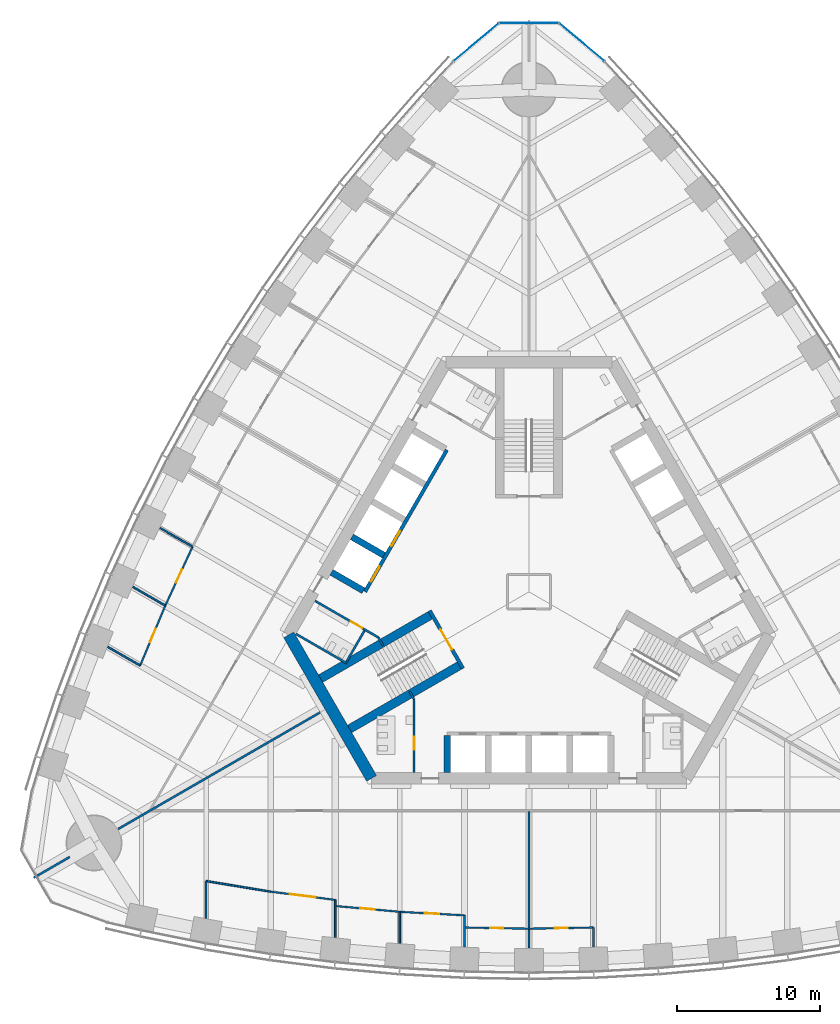
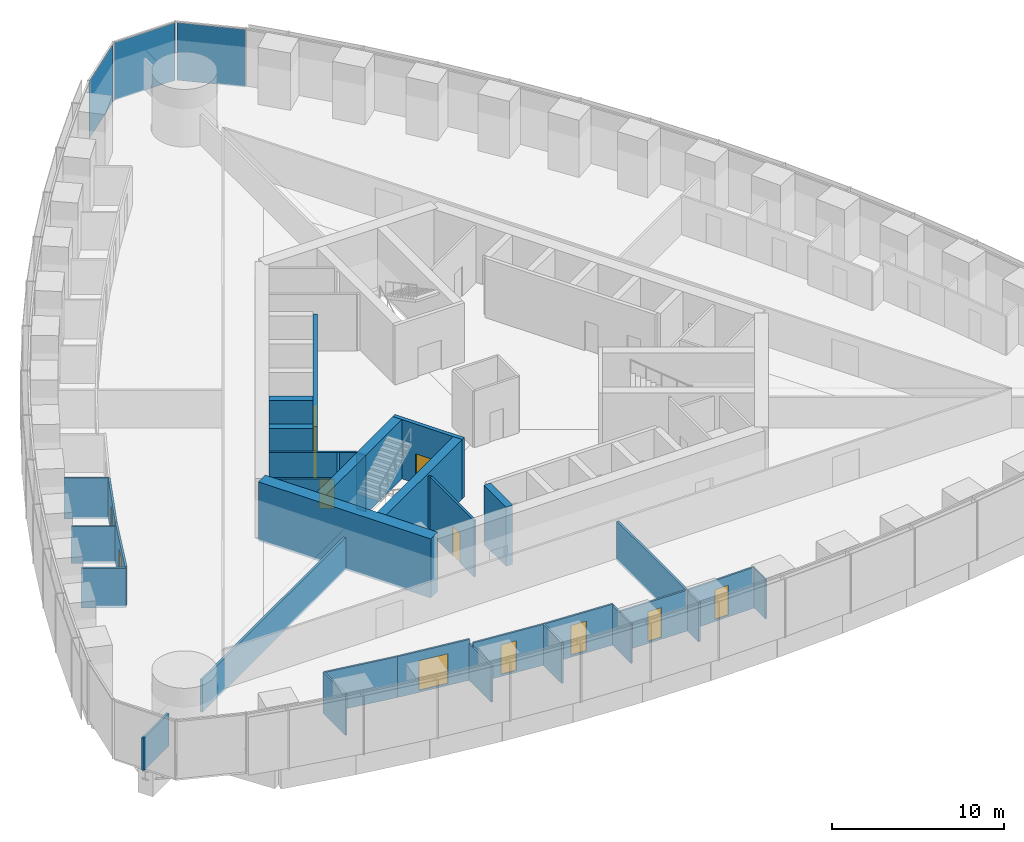
# One storey, part 10 of 18: 33 walls, 12 doors, 3 plates, 12 openings, 1 element without a shape of its own.
"""IFC4 building model written with IfcOpenShell, lengths in metres."""

from ifc_helpers import new_model, si_unit, direction, frame, frame_2d, origin, origin_2d, place, context, subcontext, project, spatial, rectangle, extrude, material, layer, layer_set, type_object, element, fill, aggregate, save


model = new_model("IFC4")

# Units and contexts
model_context = context("Model", 3, precision=1e-05, world=origin(), true_north=direction((0.0, 1.0)))
body_context = subcontext(model_context, "Body", "Model", "MODEL_VIEW")
ifc_project = project(units=[si_unit("LENGTHUNIT", "METRE"), si_unit("AREAUNIT", "SQUARE_METRE"), si_unit("VOLUMEUNIT", "CUBIC_METRE"), si_unit("PLANEANGLEUNIT", "RADIAN"), si_unit("MASSUNIT", "GRAM", prefix="KILO")], contexts=[model_context])

# Site, building, storey
site_placement = place(None, origin())
site = spatial("IfcSite", under=ifc_project, at=site_placement, CompositionType="ELEMENT")
building_placement = place(site_placement, origin())
building = spatial("IfcBuilding", under=site, at=building_placement, Name="Trefoil Bronze Tower", CompositionType="ELEMENT")
storey_placement = place(building_placement, frame((0.0, 0.0, 161.89990234375)))
storey = spatial("IfcBuildingStorey", under=building, at=storey_placement, Name="L37", CompositionType="ELEMENT", Elevation=161.89990234375)

# Curtain wall, plates
ifc_material_1 = material(Name="Tinted solar-control glass", Category="glass")
curtain_wall_type = type_object("IfcCurtainWallType", Name="Bronze rounded corner curtain wall", PredefinedType="USERDEFINED", material=ifc_material_1)
curtain_wall_placement = place(storey_placement, origin())
curtain_wall = element("IfcCurtainWall", 1, at=curtain_wall_placement, inside=storey, type_object=curtain_wall_type, Name="CW-B L37 K2", ObjectType="CURTAIN WALL", PredefinedType="USERDEFINED")
ifc_material_2 = material(Name="Tinted solar-control glass", Category="glass")
ifc_layer_1 = layer(ifc_material_2, 0.030029296875)
ifc_layer_set_1 = layer_set([ifc_layer_1], Name="Bronze rounded corner curtain wall glass panel")
plate_type = type_object("IfcPlateType", Name="Bronze rounded corner curtain wall glass panel", PredefinedType="CURTAIN_PANEL", material=ifc_layer_set_1)
plate_1_placement = place(storey_placement, frame((3.6884765625, 38.294921875, 0.0), z_axis=(0.0, 0.0, 1.0), x_axis=(-0.766044443119, 0.642787609687, 0.0)))
plate_1 = element("IfcPlate", 2, at=plate_1_placement, type_object=plate_type, Name="CW-B L37 K2 panel 1", PredefinedType="CURTAIN_PANEL", context=body_context, shape_type="SweptSolid", body=[
    extrude(rectangle(XDim=4.044189453125, YDim=0.030029296875, at=origin_2d()), origin(), (0.0, 0.0, 1.0), 4.080078125),
])
plate_2_placement = place(storey_placement, frame((0.0, 39.637451171875, 0.0), z_axis=(0.0, 0.0, 1.0), x_axis=(-1.0, 0.0, 0.0)))
plate_2 = element("IfcPlate", 3, at=plate_2_placement, type_object=plate_type, Name="CW-B L37 K2 panel 2", PredefinedType="CURTAIN_PANEL", context=body_context, shape_type="SweptSolid", body=[
    extrude(rectangle(XDim=4.044189453125, YDim=0.030029296875, at=origin_2d()), origin(), (0.0, 0.0, 1.0), 4.080078125),
])
plate_3_placement = place(storey_placement, frame((-3.6884765625, 38.294921875, 0.0), z_axis=(0.0, 0.0, 1.0), x_axis=(-0.766044443119, -0.642787609687, 0.0)))
plate_3 = element("IfcPlate", 4, at=plate_3_placement, type_object=plate_type, Name="CW-B L37 K2 panel 3", PredefinedType="CURTAIN_PANEL", context=body_context, shape_type="SweptSolid", body=[
    extrude(rectangle(XDim=4.044189453125, YDim=0.030029296875, at=origin_2d()), origin(), (0.0, 0.0, 1.0), 4.080078125),
])
aggregate(curtain_wall, [plate_1, plate_2, plate_3])

# Wall
ifc_material_3 = material(Name="Concrete B80", Category="concrete")
ifc_layer_2 = layer(ifc_material_3, 0.800048828125)
ifc_layer_set_2 = layer_set([ifc_layer_2], Name="Core wall 800")
wall_type_1 = type_object("IfcWallType", Name="Core wall 800", PredefinedType="SHEAR", material=ifc_layer_set_2)
wall_1_placement = place(storey_placement, frame((-16.7431640625, -3.0, 0.0), z_axis=(0.0, 0.0, 1.0), x_axis=(0.499995765644, -0.866027848477, 0.0)))
element("IfcWall", 5, at=wall_1_placement, inside=storey, type_object=wall_type_1, Name="Core short wall 3 L37", PredefinedType="SHEAR", context=body_context, shape_type="SweptSolid", body=[
    extrude(rectangle(XDim=11.546875, YDim=0.800048828125, at=frame_2d((5.7734375, 0.0))), origin(), (0.0, 0.0, 1.0), 4.2001953125),
])

# Wall, opening, door
ifc_material_4 = material(Name="Glazed partition", Category="glass")
ifc_layer_3 = layer(ifc_material_4, 0.1201171875)
ifc_layer_set_3 = layer_set([ifc_layer_3], Name="Glazed partition 120")
wall_type_2 = type_object("IfcWallType", Name="Glazed partition 120", PredefinedType="PARTITIONING", material=ifc_layer_set_3)
wall_2_placement = place(storey_placement, frame((0.0, -23.474609375, 0.0), z_axis=(0.0, 0.0, 1.0), x_axis=(0.999837820638, 0.018009231578, 0.0)))
wall_2 = element("IfcWall", 6, at=wall_2_placement, inside=storey, type_object=wall_type_2, Name="Partition F1 L37", PredefinedType="PARTITIONING", context=body_context, shape_type="SweptSolid", body=[
    extrude(rectangle(XDim=4.500732421875, YDim=0.1201171875, at=frame_2d((2.25048828125, 0.0))), origin(), (0.0, 0.0, 1.0), 2.900146484375),
])
opening_1_placement = place(wall_2_placement, frame((1.800048828125, 0.0, 0.14990234375)))
opening_1 = element("IfcOpeningElement", 7, at=opening_1_placement, cuts=wall_2, Name="Opening D8", PredefinedType="OPENING", context=body_context, shape_type="SweptSolid", body=[
    extrude(rectangle(XDim=0.89990234375, YDim=2.10009765625, at=frame_2d((0.449951171875, 1.050048828125))), frame((0.0, 0.070068359375, 0.0), z_axis=(0.0, -1.0, 0.0), x_axis=(1.0, 0.0, 0.0)), (0.0, 0.0, 1.0), 0.14013671875),
])
ifc_material_5 = material(Name="Timber door", Category="wood")
door_type_1 = type_object("IfcDoorType", Name="Office door 900", OperationType="SINGLE_SWING_LEFT", PredefinedType="DOOR", material=ifc_material_5)
door_1_placement = place(opening_1_placement, frame((0.89990234375, 0.0, 0.0), z_axis=(0.0, 0.0, 1.0), x_axis=(-1.0, 0.0, 0.0)))
door_1 = element("IfcDoor", 8, at=door_1_placement, inside=storey, type_object=door_type_1, Name="Focus room door F1 L37", OperationType="SINGLE_SWING_RIGHT", OverallHeight=2.10009765625, OverallWidth=0.89990234375, PredefinedType="DOOR", context=body_context, shape_type="SweptSolid", body=[
    extrude(rectangle(XDim=0.89990234375, YDim=2.10009765625, at=frame_2d((0.449951171875, 1.050048828125))), frame((0.0, 0.02490234375, 0.0), z_axis=(0.0, -1.0, 0.0), x_axis=(1.0, 0.0, 0.0)), (0.0, 0.0, 1.0), 0.050048828125),
])
fill(opening_1, door_1)

wall_3_placement = place(storey_placement, frame((-13.5, -21.892822265625, 0.0), z_axis=(0.0, 0.0, 1.0), x_axis=(0.995935173755, -0.090072913121, 0.0)))
wall_3 = element("IfcWall", 9, at=wall_3_placement, inside=storey, type_object=wall_type_2, Name="Partition F1 L37", PredefinedType="PARTITIONING", context=body_context, shape_type="SweptSolid", body=[
    extrude(rectangle(XDim=4.518310546875, YDim=0.1201171875, at=frame_2d((2.25927734375, 0.0))), origin(), (0.0, 0.0, 1.0), 2.900146484375),
])
opening_2_placement = place(wall_3_placement, frame((1.75, 0.0, 0.14990234375)))
opening_2 = element("IfcOpeningElement", 10, at=opening_2_placement, cuts=wall_3, Name="Opening D9", PredefinedType="OPENING", context=body_context, shape_type="SweptSolid", body=[
    extrude(rectangle(XDim=1.0, YDim=2.10009765625, at=frame_2d((0.5, 1.050048828125))), frame((0.0, 0.070068359375, 0.0), z_axis=(0.0, -1.0, 0.0), x_axis=(1.0, 0.0, 0.0)), (0.0, 0.0, 1.0), 0.14013671875),
])
ifc_material_6 = material(Name="Glazed timber door", Category="wood")
door_type_2 = type_object("IfcDoorType", Name="Meeting room door 1000", OperationType="SINGLE_SWING_LEFT", PredefinedType="DOOR", material=ifc_material_6)
door_2_placement = place(opening_2_placement, frame((1.0, 0.0, 0.0), z_axis=(0.0, 0.0, 1.0), x_axis=(-1.0, 0.0, 0.0)))
door_2 = element("IfcDoor", 11, at=door_2_placement, inside=storey, type_object=door_type_2, Name="Team room door F1 L37", OperationType="SINGLE_SWING_RIGHT", OverallHeight=2.10009765625, OverallWidth=1.0, PredefinedType="DOOR", context=body_context, shape_type="SweptSolid", body=[
    extrude(rectangle(XDim=1.0, YDim=2.10009765625, at=frame_2d((0.5, 1.050048828125))), frame((0.0, 0.02490234375, 0.0), z_axis=(0.0, -1.0, 0.0), x_axis=(1.0, 0.0, 0.0)), (0.0, 0.0, 1.0), 0.050048828125),
])
fill(opening_2, door_2)

wall_4_placement = place(storey_placement, frame((-18.0, -20.8955078125, 0.0), z_axis=(0.0, 0.0, 1.0), x_axis=(0.992010652594, -0.12615413247, 0.0)))
wall_4 = element("IfcWall", 12, at=wall_4_placement, inside=storey, type_object=wall_type_2, Name="Partition F1 L37", PredefinedType="PARTITIONING", context=body_context, shape_type="SweptSolid", body=[
    extrude(rectangle(XDim=4.5361328125, YDim=0.1201171875, at=frame_2d((2.26806640625, 0.0))), origin(), (0.0, 0.0, 1.0), 2.900146484375),
])
opening_3_placement = place(wall_4_placement, frame((1.35009765625, 0.0, 0.14990234375)))
opening_3 = element("IfcOpeningElement", 13, at=opening_3_placement, cuts=wall_4, Name="Opening D10", PredefinedType="OPENING", context=body_context, shape_type="SweptSolid", body=[
    extrude(rectangle(XDim=1.800048828125, YDim=2.10009765625, at=frame_2d((0.89990234375, 1.050048828125))), frame((0.0, 0.070068359375, 0.0), z_axis=(0.0, -1.0, 0.0), x_axis=(1.0, 0.0, 0.0)), (0.0, 0.0, 1.0), 0.14013671875),
])
ifc_material_7 = material(Name="Timber door", Category="wood")
door_type_3 = type_object("IfcDoorType", Name="Double door 1800", OperationType="DOUBLE_DOOR_SINGLE_SWING", PredefinedType="DOOR", material=ifc_material_7)
door_3_placement = place(opening_3_placement, frame((1.800048828125, 0.0, 0.0), z_axis=(0.0, 0.0, 1.0), x_axis=(-1.0, 0.0, 0.0)))
door_3 = element("IfcDoor", 14, at=door_3_placement, inside=storey, type_object=door_type_3, Name="Kitchen and breakout door F1 L37", OperationType="DOUBLE_DOOR_SINGLE_SWING", OverallHeight=2.10009765625, OverallWidth=1.800048828125, PredefinedType="DOOR", context=body_context, shape_type="SweptSolid", body=[
    extrude(rectangle(XDim=1.800048828125, YDim=2.10009765625, at=frame_2d((0.89990234375, 1.050048828125))), frame((0.0, 0.02490234375, 0.0), z_axis=(0.0, -1.0, 0.0), x_axis=(1.0, 0.0, 0.0)), (0.0, 0.0, 1.0), 0.050048828125),
])
fill(opening_3, door_3)

# Wall
wall_5_placement = place(storey_placement, frame((-22.5, -20.156005859375, 0.0), z_axis=(0.0, 0.0, 1.0), x_axis=(0.986764681833, -0.162158757664, 0.0)))
element("IfcWall", 15, at=wall_5_placement, inside=storey, type_object=wall_type_2, Name="Partition F1 L37", PredefinedType="PARTITIONING", context=body_context, shape_type="SweptSolid", body=[
    extrude(rectangle(XDim=4.560302734375, YDim=0.1201171875, at=frame_2d((2.2802734375, 0.0))), origin(), (0.0, 0.0, 1.0), 2.900146484375),
])

# Wall, opening, door
wall_6_placement = place(storey_placement, frame((-4.5, -23.3935546875, 0.0), z_axis=(0.0, 0.0, 1.0), x_axis=(0.999837820638, -0.018009231578, 0.0)))
wall_6 = element("IfcWall", 16, at=wall_6_placement, inside=storey, type_object=wall_type_2, Name="Partition F1 L37", PredefinedType="PARTITIONING", context=body_context, shape_type="SweptSolid", body=[
    extrude(rectangle(XDim=4.500732421875, YDim=0.1201171875, at=frame_2d((2.25048828125, 0.0))), origin(), (0.0, 0.0, 1.0), 2.900146484375),
])
opening_4_placement = place(wall_6_placement, frame((1.800048828125, 0.0, 0.14990234375)))
opening_4 = element("IfcOpeningElement", 17, at=opening_4_placement, cuts=wall_6, Name="Opening D8", PredefinedType="OPENING", context=body_context, shape_type="SweptSolid", body=[
    extrude(rectangle(XDim=0.89990234375, YDim=2.10009765625, at=frame_2d((0.449951171875, 1.050048828125))), frame((0.0, 0.070068359375, 0.0), z_axis=(0.0, -1.0, 0.0), x_axis=(1.0, 0.0, 0.0)), (0.0, 0.0, 1.0), 0.14013671875),
])
door_4_placement = place(opening_4_placement, frame((0.89990234375, 0.0, 0.0), z_axis=(0.0, 0.0, 1.0), x_axis=(-1.0, 0.0, 0.0)))
door_4 = element("IfcDoor", 18, at=door_4_placement, inside=storey, type_object=door_type_1, Name="Focus room door F1 L37", OperationType="SINGLE_SWING_RIGHT", OverallHeight=2.10009765625, OverallWidth=0.89990234375, PredefinedType="DOOR", context=body_context, shape_type="SweptSolid", body=[
    extrude(rectangle(XDim=0.89990234375, YDim=2.10009765625, at=frame_2d((0.449951171875, 1.050048828125))), frame((0.0, 0.02490234375, 0.0), z_axis=(0.0, -1.0, 0.0), x_axis=(1.0, 0.0, 0.0)), (0.0, 0.0, 1.0), 0.050048828125),
])
fill(opening_4, door_4)

wall_7_placement = place(storey_placement, frame((-9.0, -22.2998046875, 0.0), z_axis=(0.0, 0.0, 1.0), x_axis=(0.998537376538, -0.054065771581, 0.0)))
wall_7 = element("IfcWall", 19, at=wall_7_placement, inside=storey, type_object=wall_type_2, Name="Partition F1 L37", PredefinedType="PARTITIONING", context=body_context, shape_type="SweptSolid", body=[
    extrude(rectangle(XDim=4.506591796875, YDim=0.1201171875, at=frame_2d((2.25341796875, 0.0))), origin(), (0.0, 0.0, 1.0), 2.900146484375),
])
opening_5_placement = place(wall_7_placement, frame((1.75, 0.0, 0.14990234375)))
opening_5 = element("IfcOpeningElement", 20, at=opening_5_placement, cuts=wall_7, Name="Opening D9", PredefinedType="OPENING", context=body_context, shape_type="SweptSolid", body=[
    extrude(rectangle(XDim=1.0, YDim=2.10009765625, at=frame_2d((0.5, 1.050048828125))), frame((0.0, 0.070068359375, 0.0), z_axis=(0.0, -1.0, 0.0), x_axis=(1.0, 0.0, 0.0)), (0.0, 0.0, 1.0), 0.14013671875),
])
door_5_placement = place(opening_5_placement, frame((1.0, 0.0, 0.0), z_axis=(0.0, 0.0, 1.0), x_axis=(-1.0, 0.0, 0.0)))
door_5 = element("IfcDoor", 21, at=door_5_placement, inside=storey, type_object=door_type_2, Name="Team room door F1 L37", OperationType="SINGLE_SWING_RIGHT", OverallHeight=2.10009765625, OverallWidth=1.0, PredefinedType="DOOR", context=body_context, shape_type="SweptSolid", body=[
    extrude(rectangle(XDim=1.0, YDim=2.10009765625, at=frame_2d((0.5, 1.050048828125))), frame((0.0, 0.02490234375, 0.0), z_axis=(0.0, -1.0, 0.0), x_axis=(1.0, 0.0, 0.0)), (0.0, 0.0, 1.0), 0.050048828125),
])
fill(opening_5, door_5)

# Walls
wall_8_placement = place(storey_placement, frame((4.5, -23.3935546875, 0.0), z_axis=(0.0, 0.0, 1.0), x_axis=(0.0, -1.0, 0.0)))
element("IfcWall", 22, at=wall_8_placement, inside=storey, type_object=wall_type_2, Name="Partition F1 L37", PredefinedType="PARTITIONING", context=body_context, shape_type="SweptSolid", body=[
    extrude(rectangle(XDim=1.343994140625, YDim=0.1201171875, at=frame_2d((0.671875, 0.0))), origin(), (0.0, 0.0, 1.0), 2.800048828125),
])
wall_9_placement = place(storey_placement, frame((-13.5, -21.4677734375, 0.0), z_axis=(0.0, 0.0, 1.0), x_axis=(0.0, -1.0, 0.0)))
element("IfcWall", 23, at=wall_9_placement, inside=storey, type_object=wall_type_2, Name="Partition F1 L37", PredefinedType="PARTITIONING", context=body_context, shape_type="SweptSolid", body=[
    extrude(rectangle(XDim=2.6103515625, YDim=0.1201171875, at=frame_2d((1.30517578125, 0.0))), origin(), (0.0, 0.0, 1.0), 2.60009765625),
])
wall_10_placement = place(storey_placement, frame((-22.5, -20.156005859375, 0.0), z_axis=(0.0, 0.0, 1.0), x_axis=(0.0, -1.0, 0.0)))
element("IfcWall", 24, at=wall_10_placement, inside=storey, type_object=wall_type_2, Name="Partition F1 L37", PredefinedType="PARTITIONING", context=body_context, shape_type="SweptSolid", body=[
    extrude(rectangle(XDim=2.593017578125, YDim=0.1201171875, at=frame_2d((1.29638671875, 0.0))), origin(), (0.0, 0.0, 1.0), 2.900146484375),
])
wall_11_placement = place(storey_placement, frame((-4.5, -22.54345703125, 0.0), z_axis=(0.0, 0.0, 1.0), x_axis=(0.0, -1.0, 0.0)))
element("IfcWall", 25, at=wall_11_placement, inside=storey, type_object=wall_type_2, Name="Partition F1 L37", PredefinedType="PARTITIONING", context=body_context, shape_type="SweptSolid", body=[
    extrude(rectangle(XDim=2.194091796875, YDim=0.1201171875, at=frame_2d((1.09716796875, 0.0))), origin(), (0.0, 0.0, 1.0), 2.800048828125),
])
wall_12_placement = place(storey_placement, frame((-9.0, -22.2998046875, 0.0), z_axis=(0.0, 0.0, 1.0), x_axis=(0.0, -1.0, 0.0)))
element("IfcWall", 26, at=wall_12_placement, inside=storey, type_object=wall_type_2, Name="Partition F1 L37", PredefinedType="PARTITIONING", context=body_context, shape_type="SweptSolid", body=[
    extrude(rectangle(XDim=2.19091796875, YDim=0.1201171875, at=frame_2d((1.095458984375, 0.0))), origin(), (0.0, 0.0, 1.0), 2.900146484375),
])

# Wall, opening, door
wall_13_placement = place(storey_placement, frame((-25.341552734375, -0.95751953125, 0.0), z_axis=(0.0, 0.0, 1.0), x_axis=(-0.386807881778, -0.922160323693, 0.0)))
wall_13 = element("IfcWall", 27, at=wall_13_placement, inside=storey, type_object=wall_type_2, Name="Partition F3 L37", PredefinedType="PARTITIONING", context=body_context, shape_type="SweptSolid", body=[
    extrude(rectangle(XDim=4.5361328125, YDim=0.1201171875, at=frame_2d((2.26806640625, 0.0))), origin(), (0.0, 0.0, 1.0), 2.900146484375),
])
opening_6_placement = place(wall_13_placement, frame((1.75, 0.0, 0.14990234375)))
opening_6 = element("IfcOpeningElement", 28, at=opening_6_placement, cuts=wall_13, Name="Opening D9", PredefinedType="OPENING", context=body_context, shape_type="SweptSolid", body=[
    extrude(rectangle(XDim=1.0, YDim=2.10009765625, at=frame_2d((0.5, 1.050048828125))), frame((0.0, 0.070068359375, 0.0), z_axis=(0.0, -1.0, 0.0), x_axis=(1.0, 0.0, 0.0)), (0.0, 0.0, 1.0), 0.14013671875),
])
door_6_placement = place(opening_6_placement, frame((1.0, 0.0, 0.0), z_axis=(0.0, 0.0, 1.0), x_axis=(-1.0, 0.0, 0.0)))
door_6 = element("IfcDoor", 29, at=door_6_placement, inside=storey, type_object=door_type_2, Name="Meeting room door F3 L37", OperationType="SINGLE_SWING_RIGHT", OverallHeight=2.10009765625, OverallWidth=1.0, PredefinedType="DOOR", context=body_context, shape_type="SweptSolid", body=[
    extrude(rectangle(XDim=1.0, YDim=2.10009765625, at=frame_2d((0.5, 1.050048828125))), frame((0.0, 0.02490234375, 0.0), z_axis=(0.0, -1.0, 0.0), x_axis=(1.0, 0.0, 0.0)), (0.0, 0.0, 1.0), 0.050048828125),
])
fill(opening_6, door_6)

wall_14_placement = place(storey_placement, frame((-23.4443359375, 3.143310546875, 0.0), z_axis=(0.0, 0.0, 1.0), x_axis=(-0.419883773418, -0.907577884713, 0.0)))
wall_14 = element("IfcWall", 30, at=wall_14_placement, inside=storey, type_object=wall_type_2, Name="Partition F3 L37", PredefinedType="PARTITIONING", context=body_context, shape_type="SweptSolid", body=[
    extrude(rectangle(XDim=4.5185546875, YDim=0.1201171875, at=frame_2d((2.25927734375, 0.0))), origin(), (0.0, 0.0, 1.0), 2.900146484375),
])
opening_7_placement = place(wall_14_placement, frame((1.75, 0.0, 0.14990234375)))
opening_7 = element("IfcOpeningElement", 31, at=opening_7_placement, cuts=wall_14, Name="Opening D9", PredefinedType="OPENING", context=body_context, shape_type="SweptSolid", body=[
    extrude(rectangle(XDim=1.0, YDim=2.10009765625, at=frame_2d((0.5, 1.050048828125))), frame((0.0, 0.070068359375, 0.0), z_axis=(0.0, -1.0, 0.0), x_axis=(1.0, 0.0, 0.0)), (0.0, 0.0, 1.0), 0.14013671875),
])
door_7_placement = place(opening_7_placement, frame((1.0, 0.0, 0.0), z_axis=(0.0, 0.0, 1.0), x_axis=(-1.0, 0.0, 0.0)))
door_7 = element("IfcDoor", 32, at=door_7_placement, inside=storey, type_object=door_type_2, Name="Meeting room door F3 L37", OperationType="SINGLE_SWING_RIGHT", OverallHeight=2.10009765625, OverallWidth=1.0, PredefinedType="DOOR", context=body_context, shape_type="SweptSolid", body=[
    extrude(rectangle(XDim=1.0, YDim=2.10009765625, at=frame_2d((0.5, 1.050048828125))), frame((0.0, 0.02490234375, 0.0), z_axis=(0.0, -1.0, 0.0), x_axis=(1.0, 0.0, 0.0)), (0.0, 0.0, 1.0), 0.050048828125),
])
fill(opening_7, door_7)

# Walls
wall_15_placement = place(storey_placement, frame((-25.341552734375, -0.95751953125, 0.0), z_axis=(0.0, 0.0, 1.0), x_axis=(-0.866036074319, 0.499981517636, 0.0)))
element("IfcWall", 33, at=wall_15_placement, inside=storey, type_object=wall_type_2, Name="Partition F3 L37", PredefinedType="PARTITIONING", context=body_context, shape_type="SweptSolid", body=[
    extrude(rectangle(XDim=2.6103515625, YDim=0.1201171875, at=frame_2d((1.30517578125, 0.0))), origin(), (0.0, 0.0, 1.0), 2.60009765625),
])
wall_16_placement = place(storey_placement, frame((-27.09619140625, -5.140625, 0.0), z_axis=(0.0, 0.0, 1.0), x_axis=(-0.866012205188, 0.500022859943, 0.0)))
element("IfcWall", 34, at=wall_16_placement, inside=storey, type_object=wall_type_2, Name="Partition F3 L37", PredefinedType="PARTITIONING", context=body_context, shape_type="SweptSolid", body=[
    extrude(rectangle(XDim=2.60302734375, YDim=0.1201171875, at=frame_2d((1.301513671875, 0.0))), origin(), (0.0, 0.0, 1.0), 2.800048828125),
])
wall_17_placement = place(storey_placement, frame((-23.4443359375, 3.143310546875, 0.0), z_axis=(0.0, 0.0, 1.0), x_axis=(-0.866011491631, 0.500024095782, 0.0)))
element("IfcWall", 35, at=wall_17_placement, inside=storey, type_object=wall_type_2, Name="Partition F3 L37", PredefinedType="PARTITIONING", context=body_context, shape_type="SweptSolid", body=[
    extrude(rectangle(XDim=2.615478515625, YDim=0.1201171875, at=frame_2d((1.3076171875, 0.0))), origin(), (0.0, 0.0, 1.0), 2.900146484375),
])
ifc_material_8 = material(Name="Concrete B80", Category="concrete")
ifc_layer_4 = layer(ifc_material_8, 0.449951171875)
ifc_layer_set_4 = layer_set([ifc_layer_4], Name="Outrigger shaft wall 450")
wall_type_3 = type_object("IfcWallType", Name="Outrigger shaft wall 450", PredefinedType="SHEAR", material=ifc_layer_set_4)
wall_18_placement = place(storey_placement, frame((-5.699951171875, -10.02490234375, 0.0), z_axis=(0.0, 0.0, 1.0), x_axis=(0.0, -1.0, 0.0)))
element("IfcWall", 36, at=wall_18_placement, inside=storey, type_object=wall_type_3, Name="Lift shaft side wall A0 L37", PredefinedType="SHEAR", context=body_context, shape_type="SweptSolid", body=[
    extrude(rectangle(XDim=2.5751953125, YDim=0.449951171875, at=frame_2d((1.28759765625, 0.0))), origin(), (0.0, 0.0, 1.0), 4.2001953125),
])
for number, where, z_axis, x_axis, name in (
    (37, (-10.10693359375, 2.54443359375, 0.0), (0.0, 0.0, 1.0), (-0.866046643894, 0.499963209246, 0.0), "Lift shaft side wall C3 L37"),
    (38, (-11.531982421875, 0.076171875, 0.0), (0.0, 0.0, 1.0), (-0.866005588531, 0.500034319456, 0.0), "Lift shaft side wall C4 L37"),
):
    element("IfcWall", number, at=place(storey_placement, frame(where, z_axis=z_axis, x_axis=x_axis)), inside=storey, type_object=wall_type_3, Name=name, PredefinedType="SHEAR", context=body_context, shape_type="SweptSolid", body=[
        extrude(rectangle(XDim=2.574951171875, YDim=0.449951171875, at=frame_2d((1.28759765625, 0.0))), origin(), (0.0, 0.0, 1.0), 4.2001953125),
    ])

# Wall, opening, door
ifc_material_9 = material(Name="Gypsum board on steel studs", Category="steel")
ifc_layer_5 = layer(ifc_material_9, 0.14990234375)
ifc_layer_set_5 = layer_set([ifc_layer_5], Name="Partition 150")
wall_type_4 = type_object("IfcWallType", Name="Partition 150", PredefinedType="PARTITIONING", material=ifc_layer_set_5)
wall_19_placement = place(storey_placement, frame((-8.0, -7.5, 0.0), z_axis=(0.0, 0.0, 1.0), x_axis=(0.0, -1.0, 0.0)))
wall_19 = element("IfcWall", 39, at=wall_19_placement, inside=storey, type_object=wall_type_4, Name="Passage wall F1- L37", PredefinedType="PARTITIONING", context=body_context, shape_type="SweptSolid", body=[
    extrude(rectangle(XDim=5.10009765625, YDim=0.14990234375, at=frame_2d((2.550048828125, 0.0))), origin(), (0.0, 0.0, 1.0), 4.0),
])
opening_8_placement = place(wall_19_placement, frame((2.60009765625, 0.0, 0.0)))
opening_8 = element("IfcOpeningElement", 40, at=opening_8_placement, cuts=wall_19, Name="Opening D3", PredefinedType="OPENING", context=body_context, shape_type="SweptSolid", body=[
    extrude(rectangle(XDim=0.89990234375, YDim=2.10009765625, at=frame_2d((0.449951171875, 1.050048828125))), frame((0.0, 0.0849609375, 0.0), z_axis=(0.0, -1.0, 0.0), x_axis=(1.0, 0.0, 0.0)), (0.0, 0.0, 1.0), 0.169921875),
])
ifc_material_10 = material(Name="Timber door", Category="wood")
door_type_4 = type_object("IfcDoorType", Name="WC door 900", OperationType="SINGLE_SWING_LEFT", PredefinedType="DOOR", material=ifc_material_10)
door_8_placement = place(opening_8_placement, frame((0.89990234375, 0.0, 0.0), z_axis=(0.0, 0.0, 1.0), x_axis=(-1.0, 0.0, 0.0)))
door_8 = element("IfcDoor", 41, at=door_8_placement, inside=storey, type_object=door_type_4, Name="WC (women) door L37", OperationType="SINGLE_SWING_LEFT", OverallHeight=2.10009765625, OverallWidth=0.89990234375, PredefinedType="DOOR", context=body_context, shape_type="SweptSolid", body=[
    extrude(rectangle(XDim=0.89990234375, YDim=2.10009765625, at=frame_2d((0.449951171875, 1.050048828125))), frame((0.0, 0.02490234375, 0.0), z_axis=(0.0, -1.0, 0.0), x_axis=(1.0, 0.0, 0.0)), (0.0, 0.0, 1.0), 0.050048828125),
])
fill(opening_8, door_8)

wall_20_placement = place(storey_placement, frame((-10.4951171875, -3.17822265625, 0.0), z_axis=(0.0, 0.0, 1.0), x_axis=(-0.86602216432, 0.500005610874, 0.0)))
wall_20 = element("IfcWall", 42, at=wall_20_placement, inside=storey, type_object=wall_type_4, Name="Passage wall F3+ L37", PredefinedType="PARTITIONING", context=body_context, shape_type="SweptSolid", body=[
    extrude(rectangle(XDim=5.10009765625, YDim=0.14990234375, at=frame_2d((2.550048828125, 0.0))), origin(), (0.0, 0.0, 1.0), 4.0),
])
opening_9_placement = place(wall_20_placement, frame((1.300048828125, 0.0, 0.0)))
opening_9 = element("IfcOpeningElement", 43, at=opening_9_placement, cuts=wall_20, Name="Opening D3", PredefinedType="OPENING", context=body_context, shape_type="SweptSolid", body=[
    extrude(rectangle(XDim=0.89990234375, YDim=2.10009765625, at=frame_2d((0.449951171875, 1.050048828125))), frame((0.0, 0.0849609375, 0.0), z_axis=(0.0, -1.0, 0.0), x_axis=(1.0, 0.0, 0.0)), (0.0, 0.0, 1.0), 0.169921875),
])
door_9_placement = place(opening_9_placement, origin())
door_9 = element("IfcDoor", 44, at=door_9_placement, inside=storey, type_object=door_type_4, Name="WC (men) door L37", OperationType="SINGLE_SWING_LEFT", OverallHeight=2.10009765625, OverallWidth=0.89990234375, PredefinedType="DOOR", context=body_context, shape_type="SweptSolid", body=[
    extrude(rectangle(XDim=0.89990234375, YDim=2.10009765625, at=frame_2d((0.449951171875, 1.050048828125))), frame((0.0, 0.02490234375, 0.0), z_axis=(0.0, -1.0, 0.0), x_axis=(1.0, 0.0, 0.0)), (0.0, 0.0, 1.0), 0.050048828125),
])
fill(opening_9, door_9)

# Walls
for number, where, z_axis, x_axis, name in (
    (45, (-10.4951171875, -3.17822265625, 0.0), (0.0, 0.0, 1.0), (0.499842556608, -0.866116284689, 0.0), "WC wall ST3-1 L37"),
    (46, (-8.0, -7.5, 0.0), (0.0, 0.0, 1.0), (-0.499842556608, 0.866116284689, 0.0), "WC wall ST3+1 L37"),
):
    element("IfcWall", number, at=place(storey_placement, frame(where, z_axis=z_axis, x_axis=x_axis)), inside=storey, type_object=wall_type_4, Name=name, PredefinedType="PARTITIONING", context=body_context, shape_type="SweptSolid", body=[
        extrude(rectangle(XDim=0.645263671875, YDim=0.14990234375, at=frame_2d((0.32275390625, 0.0))), origin(), (0.0, 0.0, 1.0), 4.0),
    ])
wall_21_placement = place(storey_placement, frame((-12.691162109375, -4.98193359375, 0.0), z_axis=(0.0, 0.0, 1.0), x_axis=(-0.8660249478, 0.500000789788, 0.0)))
element("IfcWall", 47, at=wall_21_placement, inside=storey, type_object=wall_type_4, Name="WC partition WC (men) L37", PredefinedType="PARTITIONING", context=body_context, shape_type="SweptSolid", body=[
    extrude(rectangle(XDim=4.10009765625, YDim=0.14990234375, at=frame_2d((2.050048828125, 0.0))), origin(), (0.0, 0.0, 1.0), 4.0),
])
wall_22_placement = place(storey_placement, frame((-11.463623046875, -2.70556640625, 0.0), z_axis=(0.0, 0.0, 1.0), x_axis=(-0.50001992892, -0.866013897511, 0.0)))
element("IfcWall", 48, at=wall_22_placement, inside=storey, type_object=wall_type_4, Name="WC partition WC (men) L37", PredefinedType="PARTITIONING", context=body_context, shape_type="SweptSolid", body=[
    extrude(rectangle(XDim=2.51025390625, YDim=0.14990234375, at=frame_2d((1.255126953125, 0.0))), origin(), (0.0, 0.0, 1.0), 4.0),
])
ifc_material_11 = material(Name="Gypsum board on steel studs", Category="steel")
ifc_layer_6 = layer(ifc_material_11, 0.14990234375)
ifc_layer_set_6 = layer_set([ifc_layer_6], Name="Party wall 150")
wall_type_5 = type_object("IfcWallType", Name="Party wall 150", PredefinedType="PARTITIONING", material=ifc_layer_set_6)
wall_23_placement = place(storey_placement, frame((-14.202880859375, -8.199951171875, 0.0), z_axis=(0.0, 0.0, 1.0), x_axis=(-0.866024668836, -0.500001272966, 0.0)))
element("IfcWall", 49, at=wall_23_placement, inside=storey, type_object=wall_type_5, Name="Party wall K3 L37", PredefinedType="PARTITIONING", context=body_context, shape_type="SweptSolid", body=[
    extrude(rectangle(XDim=16.64990234375, YDim=0.14990234375, at=frame_2d((8.324951171875, 0.0))), origin(), (0.0, 0.0, 1.0), 2.300048828125),
])
wall_24_placement = place(storey_placement, frame((-31.999755859375, -18.47509765625, 0.0), z_axis=(0.0, 0.0, 1.0), x_axis=(-0.866042548026, -0.499970304126, 0.0)))
element("IfcWall", 50, at=wall_24_placement, inside=storey, type_object=wall_type_5, Name="Party wall K3 L37", PredefinedType="PARTITIONING", context=body_context, shape_type="SweptSolid", body=[
    extrude(rectangle(XDim=2.899169921875, YDim=0.14990234375, at=frame_2d((1.44970703125, 0.0))), origin(), (0.0, 0.0, 1.0), 2.300048828125),
])
wall_25_placement = place(storey_placement, frame((0.0, -15.320068359375, 0.0), z_axis=(0.0, 0.0, 1.0), x_axis=(0.0, -1.0, 0.0)))
element("IfcWall", 51, at=wall_25_placement, inside=storey, type_object=wall_type_5, Name="Demising wall F1 L37", PredefinedType="PARTITIONING", context=body_context, shape_type="SweptSolid", body=[
    extrude(rectangle(XDim=9.49951171875, YDim=0.14990234375, at=frame_2d((4.749755859375, 0.0))), origin(), (0.0, 0.0, 1.0), 2.800048828125),
])

# Wall, openings, doors
ifc_material_12 = material(Name="Concrete B80", Category="concrete")
ifc_layer_7 = layer(ifc_material_12, 0.25)
ifc_layer_set_7 = layer_set([ifc_layer_7], Name="Shaft wall 250")
wall_type_6 = type_object("IfcWallType", Name="Shaft wall 250", PredefinedType="SHEAR", material=ifc_layer_set_7)
wall_26_placement = place(storey_placement, frame((-5.7236328125, 9.88623046875, 0.0), z_axis=(0.0, 0.0, 1.0), x_axis=(-0.500001763848, -0.866024385424, 0.0)))
wall_26 = element("IfcWall", 52, at=wall_26_placement, inside=storey, type_object=wall_type_6, Name="Lift shaft front wall C L37", PredefinedType="SHEAR", context=body_context, shape_type="SweptSolid", body=[
    extrude(rectangle(XDim=11.39990234375, YDim=0.25, at=frame_2d((5.699951171875, 0.0))), origin(), (0.0, 0.0, 1.0), 4.2001953125),
])
opening_10_placement = place(wall_26_placement, frame((6.52490234375, 0.0, 0.0)))
opening_10 = element("IfcOpeningElement", 53, at=opening_10_placement, cuts=wall_26, Name="Opening LD-FL1", PredefinedType="OPENING", context=body_context, shape_type="SweptSolid", body=[
    extrude(rectangle(XDim=1.199951171875, YDim=2.199951171875, at=frame_2d((0.60009765625, 1.10009765625))), frame((0.0, 0.135009765625, 0.0), z_axis=(0.0, -1.0, 0.0), x_axis=(1.0, 0.0, 0.0)), (0.0, 0.0, 1.0), 0.27001953125),
])
opening_11_placement = place(wall_26_placement, frame((9.375, 0.0, 0.0)))
opening_11 = element("IfcOpeningElement", 54, at=opening_11_placement, cuts=wall_26, Name="Opening LD-FL2", PredefinedType="OPENING", context=body_context, shape_type="SweptSolid", body=[
    extrude(rectangle(XDim=1.199951171875, YDim=2.199951171875, at=frame_2d((0.60009765625, 1.10009765625))), frame((0.0, 0.135009765625, 0.0), z_axis=(0.0, -1.0, 0.0), x_axis=(1.0, 0.0, 0.0)), (0.0, 0.0, 1.0), 0.27001953125),
])
ifc_material_13 = material(Name="Steel door", Category="steel")
door_type_5 = type_object("IfcDoorType", Name="Lift landing door 1200", OperationType="DOUBLE_DOOR_SLIDING", PredefinedType="DOOR", material=ifc_material_13)
door_10_placement = place(opening_10_placement, origin())
door_10 = element("IfcDoor", 55, at=door_10_placement, inside=storey, type_object=door_type_5, Name="Lift FL1 landing door L37", OperationType="DOUBLE_DOOR_SLIDING", OverallHeight=2.199951171875, OverallWidth=1.199951171875, PredefinedType="DOOR", context=body_context, shape_type="SweptSolid", body=[
    extrude(rectangle(XDim=1.199951171875, YDim=2.199951171875, at=frame_2d((0.60009765625, 1.10009765625))), frame((0.0, 0.02490234375, 0.0), z_axis=(0.0, -1.0, 0.0), x_axis=(1.0, 0.0, 0.0)), (0.0, 0.0, 1.0), 0.050048828125),
])
fill(opening_10, door_10)
door_11_placement = place(opening_11_placement, origin())
door_11 = element("IfcDoor", 56, at=door_11_placement, inside=storey, type_object=door_type_5, Name="Lift FL2 landing door L37", OperationType="DOUBLE_DOOR_SLIDING", OverallHeight=2.199951171875, OverallWidth=1.199951171875, PredefinedType="DOOR", context=body_context, shape_type="SweptSolid", body=[
    extrude(rectangle(XDim=1.199951171875, YDim=2.199951171875, at=frame_2d((0.60009765625, 1.10009765625))), frame((0.0, 0.02490234375, 0.0), z_axis=(0.0, -1.0, 0.0), x_axis=(1.0, 0.0, 0.0)), (0.0, 0.0, 1.0), 0.050048828125),
])
fill(opening_11, door_11)

# Wall, opening, door
wall_27_placement = place(storey_placement, frame((-6.921630859375, -1.3115234375, 0.0), z_axis=(0.0, 0.0, 1.0), x_axis=(0.499984536904, -0.866034331223, 0.0)))
wall_27 = element("IfcWall", 57, at=wall_27_placement, inside=storey, type_object=wall_type_6, Name="Stair end wall ST3 L37", PredefinedType="SHEAR", context=body_context, shape_type="SweptSolid", body=[
    extrude(rectangle(XDim=4.650146484375, YDim=0.25, at=frame_2d((2.3251953125, 0.0))), origin(), (0.0, 0.0, 1.0), 4.2001953125),
])
opening_12_placement = place(wall_27_placement, frame((1.52490234375, 0.0, 0.0)))
opening_12 = element("IfcOpeningElement", 58, at=opening_12_placement, cuts=wall_27, Name="Opening D1", PredefinedType="OPENING", context=body_context, shape_type="SweptSolid", body=[
    extrude(rectangle(XDim=1.60009765625, YDim=2.10009765625, at=frame_2d((0.800048828125, 1.050048828125))), frame((0.0, 0.135009765625, 0.0), z_axis=(0.0, -1.0, 0.0), x_axis=(1.0, 0.0, 0.0)), (0.0, 0.0, 1.0), 0.27001953125),
])
ifc_material_14 = material(Name="Steel door", Category="steel")
door_type_6 = type_object("IfcDoorType", Name="Stair door 1600", OperationType="DOUBLE_DOOR_SINGLE_SWING", PredefinedType="DOOR", material=ifc_material_14)
door_12_placement = place(opening_12_placement, frame((1.60009765625, 0.0, 0.0), z_axis=(0.0, 0.0, 1.0), x_axis=(-1.0, 0.0, 0.0)))
door_12 = element("IfcDoor", 59, at=door_12_placement, inside=storey, type_object=door_type_6, Name="Stair door ST3 L37", OperationType="DOUBLE_DOOR_SINGLE_SWING", OverallHeight=2.10009765625, OverallWidth=1.60009765625, PredefinedType="DOOR", context=body_context, shape_type="SweptSolid", body=[
    extrude(rectangle(XDim=1.60009765625, YDim=2.10009765625, at=frame_2d((0.800048828125, 1.050048828125))), frame((0.0, 0.02490234375, 0.0), z_axis=(0.0, -1.0, 0.0), x_axis=(1.0, 0.0, 0.0)), (0.0, 0.0, 1.0), 0.050048828125),
])
fill(opening_12, door_12)

# Walls
ifc_material_15 = material(Name="Concrete B80", Category="concrete")
ifc_layer_8 = layer(ifc_material_15, 0.60009765625)
ifc_layer_set_8 = layer_set([ifc_layer_8], Name="Stair wall 600")
wall_type_7 = type_object("IfcWallType", Name="Stair wall 600", PredefinedType="SHEAR", material=ifc_layer_set_8)
for number, where, z_axis, x_axis, name in (
    (60, (-6.663330078125, -1.5087890625, 0.0), (0.0, 0.0, 1.0), (-0.866019375473, -0.500010441196, 0.0), "Stair wall ST3 L37"),
    (61, (-4.638427734375, -5.01611328125, 0.0), (0.0, 0.0, 1.0), (-0.866019375473, -0.500010441196, 0.0), "Stair wall ST3 L37"),
):
    element("IfcWall", number, at=place(storey_placement, frame(where, z_axis=z_axis, x_axis=x_axis)), inside=storey, type_object=wall_type_7, Name=name, PredefinedType="SHEAR", context=body_context, shape_type="SweptSolid", body=[
        extrude(rectangle(XDim=9.074951171875, YDim=0.60009765625, at=frame_2d((4.53759765625, 0.0))), origin(), (0.0, 0.0, 1.0), 4.2001953125),
    ])

save(model, "model.ifc")
